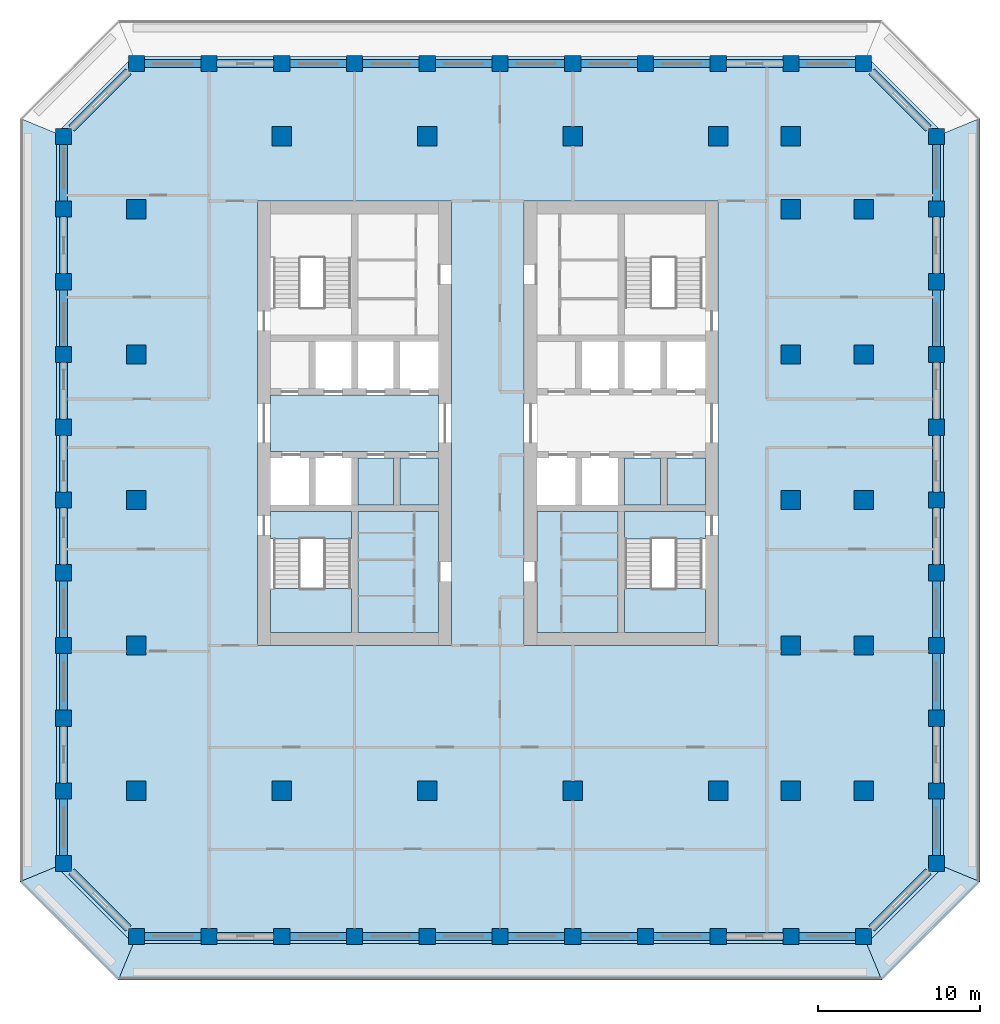
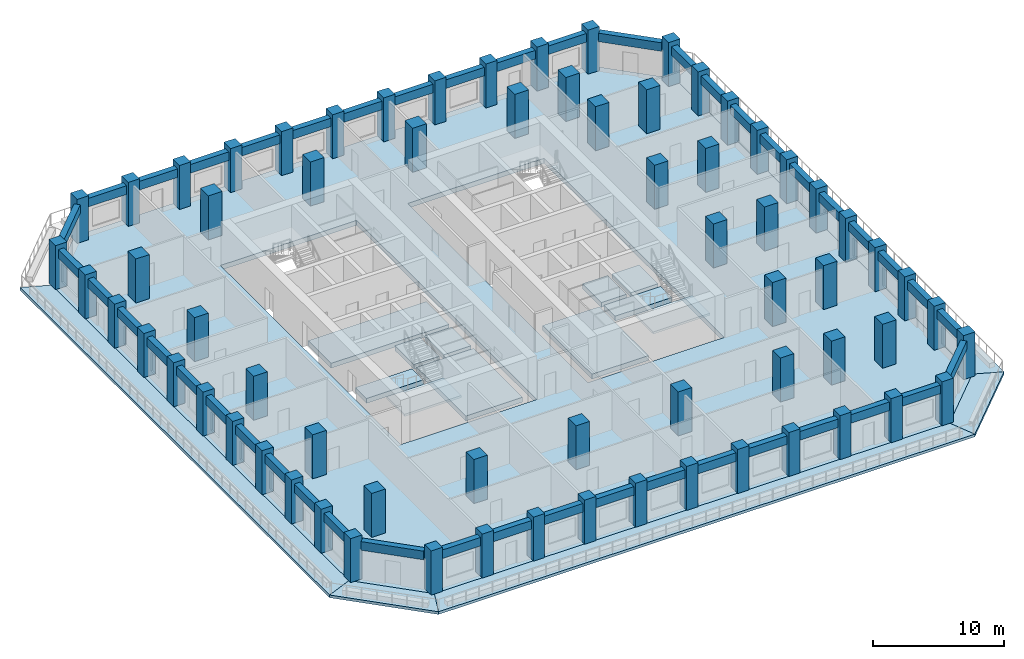
# One storey, part 1 of 16: 68 columns, 44 beams, 17 slabs, 2 elements without a shape of their own.
"""IFC4 building model written with IfcOpenShell, lengths in metres."""

from ifc_helpers import new_model, si_unit, direction, frame, origin, origin_2d, place, context, subcontext, project, spatial, polyline, rectangle, outline, extrude, material, layer, layer_set, material_profile, profile_set, type_object, element, aggregate, save


model = new_model("IFC4")

# Units and contexts
model_context = context("Model", 3, precision=1e-05, world=origin(), true_north=direction((0.0, 1.0)))
body_context = subcontext(model_context, "Body", "Model", "MODEL_VIEW")
ifc_project = project(units=[si_unit("LENGTHUNIT", "METRE"), si_unit("AREAUNIT", "SQUARE_METRE"), si_unit("VOLUMEUNIT", "CUBIC_METRE"), si_unit("PLANEANGLEUNIT", "RADIAN"), si_unit("MASSUNIT", "GRAM", prefix="KILO")], contexts=[model_context])

# Site, building, storey
site_placement = place(None, origin())
site = spatial("IfcSite", under=ifc_project, at=site_placement, CompositionType="ELEMENT")
building_placement = place(site_placement, origin())
building = spatial("IfcBuilding", under=site, at=building_placement, Name="Corbel Stack Research Tower", CompositionType="ELEMENT")
storey_placement = place(building_placement, frame((0.0, 0.0, 203.800048828125)))
storey = spatial("IfcBuildingStorey", under=building, at=storey_placement, Name="L46", CompositionType="ELEMENT", Elevation=203.800048828125)

# Columns
ifc_material_1 = material(Name="Concrete C60/75", Category="concrete")
ifc_material_profile_1 = material_profile(ifc_material_1, rectangle(XDim=1.0, YDim=1.0, at=origin_2d()), Name="RC 1000 x 1000")
ifc_profile_set_1 = profile_set([ifc_material_profile_1], Name="Concrete C60/75")
column_type_1 = type_object("IfcColumnType", Name="C-1000-60", PredefinedType="COLUMN", material=ifc_profile_set_1)
for number, where, z_axis, x_axis, name in (
    (1, (-22.5, -22.5, 0.0), (0.0, 0.0, 1.0), (1.0, 0.0, 0.0), "Column 3/C L46"),
    (2, (-22.5, -18.0, 0.0), (0.0, 0.0, 1.0), (1.0, 0.0, 0.0), "Column 3/D L46"),
    (3, (-22.5, -13.5, 0.0), (0.0, 0.0, 1.0), (1.0, 0.0, 0.0), "Column 3/E L46"),
    (4, (-22.5, -9.0, 0.0), (0.0, 0.0, 1.0), (1.0, 0.0, 0.0), "Column 3/F L46"),
    (5, (-22.5, -4.5, 0.0), (0.0, 0.0, 1.0), (1.0, 0.0, 0.0), "Column 3/G L46"),
    (6, (-22.5, 0.0, 0.0), (0.0, 0.0, 1.0), (1.0, 0.0, 0.0), "Column 3/H L46"),
    (7, (-22.5, 4.5, 0.0), (0.0, 0.0, 1.0), (1.0, 0.0, 0.0), "Column 3/J L46"),
    (8, (-22.5, 9.0, 0.0), (0.0, 0.0, 1.0), (1.0, 0.0, 0.0), "Column 3/K L46"),
    (9, (-22.5, 13.5, 0.0), (0.0, 0.0, 1.0), (1.0, 0.0, 0.0), "Column 3/L L46"),
    (10, (-22.5, 18.0, 0.0), (0.0, 0.0, 1.0), (1.0, 0.0, 0.0), "Column 3/M L46"),
    (11, (-22.5, 22.5, 0.0), (0.0, 0.0, 1.0), (1.0, 0.0, 0.0), "Column 3/N L46"),
    (12, (-18.0, -27.0, 0.0), (0.0, 0.0, 1.0), (1.0, 0.0, 0.0), "Column 4/B L46"),
    (13, (-18.0, 27.0, 0.0), (0.0, 0.0, 1.0), (1.0, 0.0, 0.0), "Column 4/P L46"),
    (14, (-13.5, -27.0, 0.0), (0.0, 0.0, 1.0), (1.0, 0.0, 0.0), "Column 5/B L46"),
    (15, (-13.5, 27.0, 0.0), (0.0, 0.0, 1.0), (1.0, 0.0, 0.0), "Column 5/P L46"),
    (16, (-9.0, -27.0, 0.0), (0.0, 0.0, 1.0), (1.0, 0.0, 0.0), "Column 6/B L46"),
    (17, (-9.0, 27.0, 0.0), (0.0, 0.0, 1.0), (1.0, 0.0, 0.0), "Column 6/P L46"),
    (18, (-4.5, -27.0, 0.0), (0.0, 0.0, 1.0), (1.0, 0.0, 0.0), "Column 7/B L46"),
    (19, (-4.5, 27.0, 0.0), (0.0, 0.0, 1.0), (1.0, 0.0, 0.0), "Column 7/P L46"),
    (20, (0.0, -27.0, 0.0), (0.0, 0.0, 1.0), (1.0, 0.0, 0.0), "Column 8/B L46"),
    (21, (0.0, 27.0, 0.0), (0.0, 0.0, 1.0), (1.0, 0.0, 0.0), "Column 8/P L46"),
    (22, (4.5, -27.0, 0.0), (0.0, 0.0, 1.0), (1.0, 0.0, 0.0), "Column 9/B L46"),
    (23, (4.5, 27.0, 0.0), (0.0, 0.0, 1.0), (1.0, 0.0, 0.0), "Column 9/P L46"),
    (24, (9.0, -27.0, 0.0), (0.0, 0.0, 1.0), (1.0, 0.0, 0.0), "Column 10/B L46"),
    (25, (9.0, 27.0, 0.0), (0.0, 0.0, 1.0), (1.0, 0.0, 0.0), "Column 10/P L46"),
    (26, (13.5, -27.0, 0.0), (0.0, 0.0, 1.0), (1.0, 0.0, 0.0), "Column 11/B L46"),
    (27, (13.5, 27.0, 0.0), (0.0, 0.0, 1.0), (1.0, 0.0, 0.0), "Column 11/P L46"),
    (28, (18.0, -27.0, 0.0), (0.0, 0.0, 1.0), (1.0, 0.0, 0.0), "Column 12/B L46"),
    (29, (18.0, 27.0, 0.0), (0.0, 0.0, 1.0), (1.0, 0.0, 0.0), "Column 12/P L46"),
    (30, (22.5, -27.0, 0.0), (0.0, 0.0, 1.0), (1.0, 0.0, 0.0), "Column 13/B L46"),
    (31, (22.5, 27.0, 0.0), (0.0, 0.0, 1.0), (1.0, 0.0, 0.0), "Column 13/P L46"),
    (32, (27.0, -27.0, 0.0), (0.0, 0.0, 1.0), (1.0, 0.0, 0.0), "Column 14/B L46"),
    (33, (27.0, 27.0, 0.0), (0.0, 0.0, 1.0), (1.0, 0.0, 0.0), "Column 14/P L46"),
    (34, (31.5, -22.5, 0.0), (0.0, 0.0, 1.0), (1.0, 0.0, 0.0), "Column 15/C L46"),
    (35, (31.5, -18.0, 0.0), (0.0, 0.0, 1.0), (1.0, 0.0, 0.0), "Column 15/D L46"),
    (36, (31.5, -13.5, 0.0), (0.0, 0.0, 1.0), (1.0, 0.0, 0.0), "Column 15/E L46"),
    (37, (31.5, -9.0, 0.0), (0.0, 0.0, 1.0), (1.0, 0.0, 0.0), "Column 15/F L46"),
    (38, (31.5, -4.5, 0.0), (0.0, 0.0, 1.0), (1.0, 0.0, 0.0), "Column 15/G L46"),
    (39, (31.5, 0.0, 0.0), (0.0, 0.0, 1.0), (1.0, 0.0, 0.0), "Column 15/H L46"),
    (40, (31.5, 4.5, 0.0), (0.0, 0.0, 1.0), (1.0, 0.0, 0.0), "Column 15/J L46"),
    (41, (31.5, 9.0, 0.0), (0.0, 0.0, 1.0), (1.0, 0.0, 0.0), "Column 15/K L46"),
    (42, (31.5, 13.5, 0.0), (0.0, 0.0, 1.0), (1.0, 0.0, 0.0), "Column 15/L L46"),
    (43, (31.5, 18.0, 0.0), (0.0, 0.0, 1.0), (1.0, 0.0, 0.0), "Column 15/M L46"),
    (44, (31.5, 22.5, 0.0), (0.0, 0.0, 1.0), (1.0, 0.0, 0.0), "Column 15/N L46"),
):
    element("IfcColumn", number, at=place(storey_placement, frame(where, z_axis=z_axis, x_axis=x_axis)), inside=storey, type_object=column_type_1, Name=name, PredefinedType="COLUMN", context=body_context, shape_type="SweptSolid", body=[
        extrude(rectangle(XDim=1.0, YDim=1.0, at=origin_2d()), origin(), (0.0, 0.0, 1.0), 4.099853515625),
    ])
ifc_material_2 = material(Name="Concrete C60/75", Category="concrete")
ifc_material_profile_2 = material_profile(ifc_material_2, rectangle(XDim=1.199951171875, YDim=1.199951171875, at=origin_2d()), Name="RC 1200 x 1200")
ifc_profile_set_2 = profile_set([ifc_material_profile_2], Name="Concrete C60/75")
column_type_2 = type_object("IfcColumnType", Name="C-1200-60", PredefinedType="COLUMN", material=ifc_profile_set_2)
for number, where, z_axis, x_axis, name in (
    (45, (-18.0, -18.0, 0.0), (0.0, 0.0, 1.0), (1.0, 0.0, 0.0), "Column 4/D L46"),
    (46, (-18.0, -9.0, 0.0), (0.0, 0.0, 1.0), (1.0, 0.0, 0.0), "Column 4/F L46"),
    (47, (-18.0, 0.0, 0.0), (0.0, 0.0, 1.0), (1.0, 0.0, 0.0), "Column 4/H L46"),
    (48, (-18.0, 9.0, 0.0), (0.0, 0.0, 1.0), (1.0, 0.0, 0.0), "Column 4/K L46"),
    (49, (-18.0, 18.0, 0.0), (0.0, 0.0, 1.0), (1.0, 0.0, 0.0), "Column 4/M L46"),
    (50, (-9.0, -18.0, 0.0), (0.0, 0.0, 1.0), (1.0, 0.0, 0.0), "Column 6/D L46"),
    (51, (-9.0, 22.5, 0.0), (0.0, 0.0, 1.0), (1.0, 0.0, 0.0), "Column 6/N L46"),
    (52, (0.0, -18.0, 0.0), (0.0, 0.0, 1.0), (1.0, 0.0, 0.0), "Column 8/D L46"),
    (53, (0.0, 22.5, 0.0), (0.0, 0.0, 1.0), (1.0, 0.0, 0.0), "Column 8/N L46"),
    (54, (9.0, -18.0, 0.0), (0.0, 0.0, 1.0), (1.0, 0.0, 0.0), "Column 10/D L46"),
    (55, (9.0, 22.5, 0.0), (0.0, 0.0, 1.0), (1.0, 0.0, 0.0), "Column 10/N L46"),
    (56, (18.0, -18.0, 0.0), (0.0, 0.0, 1.0), (1.0, 0.0, 0.0), "Column 12/D L46"),
    (57, (18.0, 22.5, 0.0), (0.0, 0.0, 1.0), (1.0, 0.0, 0.0), "Column 12/N L46"),
    (58, (22.5, -18.0, 0.0), (0.0, 0.0, 1.0), (1.0, 0.0, 0.0), "Column 13/D L46"),
    (59, (22.5, -9.0, 0.0), (0.0, 0.0, 1.0), (1.0, 0.0, 0.0), "Column 13/F L46"),
    (60, (22.5, 0.0, 0.0), (0.0, 0.0, 1.0), (1.0, 0.0, 0.0), "Column 13/H L46"),
    (61, (22.5, 9.0, 0.0), (0.0, 0.0, 1.0), (1.0, 0.0, 0.0), "Column 13/K L46"),
    (62, (22.5, 18.0, 0.0), (0.0, 0.0, 1.0), (1.0, 0.0, 0.0), "Column 13/M L46"),
    (63, (22.5, 22.5, 0.0), (0.0, 0.0, 1.0), (1.0, 0.0, 0.0), "Column 13/N L46"),
    (64, (27.0, -18.0, 0.0), (0.0, 0.0, 1.0), (1.0, 0.0, 0.0), "Column 14/D L46"),
    (65, (27.0, -9.0, 0.0), (0.0, 0.0, 1.0), (1.0, 0.0, 0.0), "Column 14/F L46"),
    (66, (27.0, 0.0, 0.0), (0.0, 0.0, 1.0), (1.0, 0.0, 0.0), "Column 14/H L46"),
    (67, (27.0, 9.0, 0.0), (0.0, 0.0, 1.0), (1.0, 0.0, 0.0), "Column 14/K L46"),
    (68, (27.0, 18.0, 0.0), (0.0, 0.0, 1.0), (1.0, 0.0, 0.0), "Column 14/M L46"),
):
    element("IfcColumn", number, at=place(storey_placement, frame(where, z_axis=z_axis, x_axis=x_axis)), inside=storey, type_object=column_type_2, Name=name, PredefinedType="COLUMN", context=body_context, shape_type="SweptSolid", body=[
        extrude(rectangle(XDim=1.199951171875, YDim=1.199951171875, at=origin_2d()), origin(), (0.0, 0.0, 1.0), 4.099853515625),
    ])

# Beams
ifc_material_3 = material(Name="Concrete C60/75", Category="concrete")
ifc_material_profile_3 = material_profile(ifc_material_3, rectangle(XDim=0.5, YDim=0.800048828125, at=origin_2d()), Name="RC 500 x 800")
ifc_profile_set_3 = profile_set([ifc_material_profile_3], Name="Concrete C60/75")
beam_type = type_object("IfcBeamType", Name="SB-500-800-450", PredefinedType="SPANDREL", material=ifc_profile_set_3)
for number, where, z_axis, x_axis, name in (
    (69, (-17.5, -27.0, 3.25), (1.0, 0.0, 0.0), (0.0, 1.0, 0.0), "Spandrel beam L46-01"),
    (70, (-13.0, -27.0, 3.25), (1.0, 0.0, 0.0), (0.0, 1.0, 0.0), "Spandrel beam L46-02"),
    (71, (-8.5, -27.0, 3.25), (1.0, 0.0, 0.0), (0.0, 1.0, 0.0), "Spandrel beam L46-03"),
    (72, (-4.0, -27.0, 3.25), (1.0, 0.0, 0.0), (0.0, 1.0, 0.0), "Spandrel beam L46-04"),
    (73, (0.5, -27.0, 3.25), (1.0, 0.0, 0.0), (0.0, 1.0, 0.0), "Spandrel beam L46-05"),
    (74, (5.0, -27.0, 3.25), (1.0, 0.0, 0.0), (0.0, 1.0, 0.0), "Spandrel beam L46-06"),
    (75, (9.5, -27.0, 3.25), (1.0, 0.0, 0.0), (0.0, 1.0, 0.0), "Spandrel beam L46-07"),
    (76, (14.0, -27.0, 3.25), (1.0, 0.0, 0.0), (0.0, 1.0, 0.0), "Spandrel beam L46-08"),
    (77, (18.5, -27.0, 3.25), (1.0, 0.0, 0.0), (0.0, 1.0, 0.0), "Spandrel beam L46-09"),
    (78, (23.0, -27.0, 3.25), (1.0, 0.0, 0.0), (0.0, 1.0, 0.0), "Spandrel beam L46-10"),
):
    element("IfcBeam", number, at=place(storey_placement, frame(where, z_axis=z_axis, x_axis=x_axis)), inside=storey, type_object=beam_type, Name=name, PredefinedType="SPANDREL", context=body_context, shape_type="SweptSolid", body=[
        extrude(rectangle(XDim=0.5, YDim=0.800048828125, at=origin_2d()), origin(), (0.0, 0.0, 1.0), 3.5),
    ])
beam_1_placement = place(storey_placement, frame((27.5, -26.5, 3.25), z_axis=(0.707106781187, 0.707106781187, 0.0), x_axis=(-0.707106781187, 0.707106781187, 0.0)))
element("IfcBeam", 79, at=beam_1_placement, inside=storey, type_object=beam_type, Name="Spandrel beam L46-11", PredefinedType="SPANDREL", context=body_context, shape_type="SweptSolid", body=[
    extrude(rectangle(XDim=0.5, YDim=0.800048828125, at=origin_2d()), origin(), (0.0, 0.0, 1.0), 4.94970703125),
])
for number, where, z_axis, x_axis, name in (
    (80, (31.5, -22.0, 3.25), (0.0, 1.0, 0.0), (-1.0, 0.0, 0.0), "Spandrel beam L46-12"),
    (81, (31.5, -17.5, 3.25), (0.0, 1.0, 0.0), (-1.0, 0.0, 0.0), "Spandrel beam L46-13"),
    (82, (31.5, -13.0, 3.25), (0.0, 1.0, 0.0), (-1.0, 0.0, 0.0), "Spandrel beam L46-14"),
    (83, (31.5, -8.5, 3.25), (0.0, 1.0, 0.0), (-1.0, 0.0, 0.0), "Spandrel beam L46-15"),
    (84, (31.5, -4.0, 3.25), (0.0, 1.0, 0.0), (-1.0, 0.0, 0.0), "Spandrel beam L46-16"),
    (85, (31.5, 0.5, 3.25), (0.0, 1.0, 0.0), (-1.0, 0.0, 0.0), "Spandrel beam L46-17"),
    (86, (31.5, 5.0, 3.25), (0.0, 1.0, 0.0), (-1.0, 0.0, 0.0), "Spandrel beam L46-18"),
    (87, (31.5, 9.5, 3.25), (0.0, 1.0, 0.0), (-1.0, 0.0, 0.0), "Spandrel beam L46-19"),
    (88, (31.5, 14.0, 3.25), (0.0, 1.0, 0.0), (-1.0, 0.0, 0.0), "Spandrel beam L46-20"),
    (89, (31.5, 18.5, 3.25), (0.0, 1.0, 0.0), (-1.0, 0.0, 0.0), "Spandrel beam L46-21"),
):
    element("IfcBeam", number, at=place(storey_placement, frame(where, z_axis=z_axis, x_axis=x_axis)), inside=storey, type_object=beam_type, Name=name, PredefinedType="SPANDREL", context=body_context, shape_type="SweptSolid", body=[
        extrude(rectangle(XDim=0.5, YDim=0.800048828125, at=origin_2d()), origin(), (0.0, 0.0, 1.0), 3.5),
    ])
beam_2_placement = place(storey_placement, frame((31.0, 23.0, 3.25), z_axis=(-0.707106781187, 0.707106781187, 0.0), x_axis=(-0.707106781187, -0.707106781187, 0.0)))
element("IfcBeam", 90, at=beam_2_placement, inside=storey, type_object=beam_type, Name="Spandrel beam L46-22", PredefinedType="SPANDREL", context=body_context, shape_type="SweptSolid", body=[
    extrude(rectangle(XDim=0.5, YDim=0.800048828125, at=origin_2d()), origin(), (0.0, 0.0, 1.0), 4.94970703125),
])
for number, where, z_axis, x_axis, name in (
    (91, (26.5, 27.0, 3.25), (-1.0, 0.0, 0.0), (0.0, -1.0, 0.0), "Spandrel beam L46-23"),
    (92, (22.0, 27.0, 3.25), (-1.0, 0.0, 0.0), (0.0, -1.0, 0.0), "Spandrel beam L46-24"),
    (93, (17.5, 27.0, 3.25), (-1.0, 0.0, 0.0), (0.0, -1.0, 0.0), "Spandrel beam L46-25"),
    (94, (13.0, 27.0, 3.25), (-1.0, 0.0, 0.0), (0.0, -1.0, 0.0), "Spandrel beam L46-26"),
    (95, (8.5, 27.0, 3.25), (-1.0, 0.0, 0.0), (0.0, -1.0, 0.0), "Spandrel beam L46-27"),
    (96, (4.0, 27.0, 3.25), (-1.0, 0.0, 0.0), (0.0, -1.0, 0.0), "Spandrel beam L46-28"),
    (97, (-0.5, 27.0, 3.25), (-1.0, 0.0, 0.0), (0.0, -1.0, 0.0), "Spandrel beam L46-29"),
    (98, (-5.0, 27.0, 3.25), (-1.0, 0.0, 0.0), (0.0, -1.0, 0.0), "Spandrel beam L46-30"),
    (99, (-9.5, 27.0, 3.25), (-1.0, 0.0, 0.0), (0.0, -1.0, 0.0), "Spandrel beam L46-31"),
    (100, (-14.0, 27.0, 3.25), (-1.0, 0.0, 0.0), (0.0, -1.0, 0.0), "Spandrel beam L46-32"),
):
    element("IfcBeam", number, at=place(storey_placement, frame(where, z_axis=z_axis, x_axis=x_axis)), inside=storey, type_object=beam_type, Name=name, PredefinedType="SPANDREL", context=body_context, shape_type="SweptSolid", body=[
        extrude(rectangle(XDim=0.5, YDim=0.800048828125, at=origin_2d()), origin(), (0.0, 0.0, 1.0), 3.5),
    ])
beam_3_placement = place(storey_placement, frame((-18.5, 26.5, 3.25), z_axis=(-0.707106781187, -0.707106781187, 0.0), x_axis=(0.707106781187, -0.707106781187, 0.0)))
element("IfcBeam", 101, at=beam_3_placement, inside=storey, type_object=beam_type, Name="Spandrel beam L46-33", PredefinedType="SPANDREL", context=body_context, shape_type="SweptSolid", body=[
    extrude(rectangle(XDim=0.5, YDim=0.800048828125, at=origin_2d()), origin(), (0.0, 0.0, 1.0), 4.94970703125),
])
for number, where, z_axis, x_axis, name in (
    (102, (-22.5, 22.0, 3.25), (0.0, -1.0, 0.0), (1.0, 0.0, 0.0), "Spandrel beam L46-34"),
    (103, (-22.5, 17.5, 3.25), (0.0, -1.0, 0.0), (1.0, 0.0, 0.0), "Spandrel beam L46-35"),
    (104, (-22.5, 13.0, 3.25), (0.0, -1.0, 0.0), (1.0, 0.0, 0.0), "Spandrel beam L46-36"),
    (105, (-22.5, 8.5, 3.25), (0.0, -1.0, 0.0), (1.0, 0.0, 0.0), "Spandrel beam L46-37"),
    (106, (-22.5, 4.0, 3.25), (0.0, -1.0, 0.0), (1.0, 0.0, 0.0), "Spandrel beam L46-38"),
    (107, (-22.5, -0.5, 3.25), (0.0, -1.0, 0.0), (1.0, 0.0, 0.0), "Spandrel beam L46-39"),
    (108, (-22.5, -5.0, 3.25), (0.0, -1.0, 0.0), (1.0, 0.0, 0.0), "Spandrel beam L46-40"),
    (109, (-22.5, -9.5, 3.25), (0.0, -1.0, 0.0), (1.0, 0.0, 0.0), "Spandrel beam L46-41"),
    (110, (-22.5, -14.0, 3.25), (0.0, -1.0, 0.0), (1.0, 0.0, 0.0), "Spandrel beam L46-42"),
    (111, (-22.5, -18.5, 3.25), (0.0, -1.0, 0.0), (1.0, 0.0, 0.0), "Spandrel beam L46-43"),
):
    element("IfcBeam", number, at=place(storey_placement, frame(where, z_axis=z_axis, x_axis=x_axis)), inside=storey, type_object=beam_type, Name=name, PredefinedType="SPANDREL", context=body_context, shape_type="SweptSolid", body=[
        extrude(rectangle(XDim=0.5, YDim=0.800048828125, at=origin_2d()), origin(), (0.0, 0.0, 1.0), 3.5),
    ])
beam_4_placement = place(storey_placement, frame((-22.0, -23.0, 3.25), z_axis=(0.707106781187, -0.707106781187, 0.0), x_axis=(0.707106781187, 0.707106781187, 0.0)))
element("IfcBeam", 112, at=beam_4_placement, inside=storey, type_object=beam_type, Name="Spandrel beam L46-44", PredefinedType="SPANDREL", context=body_context, shape_type="SweptSolid", body=[
    extrude(rectangle(XDim=0.5, YDim=0.800048828125, at=origin_2d()), origin(), (0.0, 0.0, 1.0), 4.94970703125),
])

# Slabs
ifc_material_4 = material(Name="Concrete C45/55", Category="concrete")
ifc_layer_1 = layer(ifc_material_4, 0.25)
ifc_layer_set_1 = layer_set([ifc_layer_1], Name="Concrete C45/55")
slab_type_1 = type_object("IfcSlabType", Name="PT balcony slab 250 C45/55", PredefinedType="FLOOR", material=ifc_layer_set_1)
slab_1_placement = place(storey_placement, frame((0.0, 0.0, -0.25)))
element("IfcSlab", 113, at=slab_1_placement, inside=storey, type_object=slab_type_1, Name="Loggia slab L46 S", PredefinedType="FLOOR", context=body_context, shape_type="SweptSolid", body=[
    extrude(outline(polyline([(27.20703125, -27.5), (26.5, -27.5), (26.5, -27.449951171875), (23.0, -27.449951171875), (23.0, -27.5), (22.0, -27.5), (22.0, -27.449951171875), (18.5, -27.449951171875), (18.5, -27.5), (17.5, -27.5), (17.5, -27.449951171875), (14.0, -27.449951171875), (14.0, -27.5), (13.0, -27.5), (13.0, -27.449951171875), (9.5, -27.449951171875), (9.5, -27.5), (8.5, -27.5), (8.5, -27.449951171875), (5.0, -27.449951171875), (5.0, -27.5), (4.0, -27.5), (4.0, -27.449951171875), (0.5, -27.449951171875), (0.5, -27.5), (-0.5, -27.5), (-0.5, -27.449951171875), (-4.0, -27.449951171875), (-4.0, -27.5), (-5.0, -27.5), (-5.0, -27.449951171875), (-8.5, -27.449951171875), (-8.5, -27.5), (-9.5, -27.5), (-9.5, -27.449951171875), (-13.0, -27.449951171875), (-13.0, -27.5), (-14.0, -27.5), (-14.0, -27.449951171875), (-17.5, -27.449951171875), (-17.5, -27.5), (-18.20703125, -27.5), (-19.118408203125, -29.699951171875), (28.118408203125, -29.699951171875), (27.20703125, -27.5)])), origin(), (0.0, 0.0, 1.0), 0.25),
])
slab_2_placement = place(storey_placement, frame((0.0, 0.0, -0.25)))
element("IfcSlab", 114, at=slab_2_placement, inside=storey, type_object=slab_type_1, Name="Loggia slab L46 SE", PredefinedType="FLOOR", context=body_context, shape_type="SweptSolid", body=[
    extrude(outline(polyline([(32.0, -22.70703125), (32.0, -23.0), (31.636474609375, -23.0), (27.5, -27.136474609375), (27.5, -27.5), (27.20703125, -27.5), (28.118408203125, -29.699951171875), (34.199951171875, -23.618408203125), (32.0, -22.70703125)])), origin(), (0.0, 0.0, 1.0), 0.25),
])
slab_3_placement = place(storey_placement, frame((0.0, 0.0, -0.25)))
element("IfcSlab", 115, at=slab_3_placement, inside=storey, type_object=slab_type_1, Name="Loggia slab L46 E", PredefinedType="FLOOR", context=body_context, shape_type="SweptSolid", body=[
    extrude(outline(polyline([(32.0, 22.70703125), (32.0, 22.0), (31.949951171875, 22.0), (31.949951171875, 18.5), (32.0, 18.5), (32.0, 17.5), (31.949951171875, 17.5), (31.949951171875, 14.0), (32.0, 14.0), (32.0, 13.0), (31.949951171875, 13.0), (31.949951171875, 9.5), (32.0, 9.5), (32.0, 8.5), (31.949951171875, 8.5), (31.949951171875, 5.0), (32.0, 5.0), (32.0, 4.0), (31.949951171875, 4.0), (31.949951171875, 0.5), (32.0, 0.5), (32.0, -0.5), (31.949951171875, -0.5), (31.949951171875, -4.0), (32.0, -4.0), (32.0, -5.0), (31.949951171875, -5.0), (31.949951171875, -8.5), (32.0, -8.5), (32.0, -9.5), (31.949951171875, -9.5), (31.949951171875, -13.0), (32.0, -13.0), (32.0, -14.0), (31.949951171875, -14.0), (31.949951171875, -17.5), (32.0, -17.5), (32.0, -18.5), (31.949951171875, -18.5), (31.949951171875, -22.0), (32.0, -22.0), (32.0, -22.70703125), (34.199951171875, -23.618408203125), (34.199951171875, 23.618408203125), (32.0, 22.70703125)])), origin(), (0.0, 0.0, 1.0), 0.25),
])
slab_4_placement = place(storey_placement, frame((0.0, 0.0, -0.25)))
element("IfcSlab", 116, at=slab_4_placement, inside=storey, type_object=slab_type_1, Name="Loggia slab L46 W", PredefinedType="FLOOR", context=body_context, shape_type="SweptSolid", body=[
    extrude(outline(polyline([(-23.0, -22.70703125), (-23.0, -22.0), (-22.949951171875, -22.0), (-22.949951171875, -18.5), (-23.0, -18.5), (-23.0, -17.5), (-22.949951171875, -17.5), (-22.949951171875, -14.0), (-23.0, -14.0), (-23.0, -13.0), (-22.949951171875, -13.0), (-22.949951171875, -9.5), (-23.0, -9.5), (-23.0, -8.5), (-22.949951171875, -8.5), (-22.949951171875, -5.0), (-23.0, -5.0), (-23.0, -4.0), (-22.949951171875, -4.0), (-22.949951171875, -0.5), (-23.0, -0.5), (-23.0, 0.5), (-22.949951171875, 0.5), (-22.949951171875, 4.0), (-23.0, 4.0), (-23.0, 5.0), (-22.949951171875, 5.0), (-22.949951171875, 8.5), (-23.0, 8.5), (-23.0, 9.5), (-22.949951171875, 9.5), (-22.949951171875, 13.0), (-23.0, 13.0), (-23.0, 14.0), (-22.949951171875, 14.0), (-22.949951171875, 17.5), (-23.0, 17.5), (-23.0, 18.5), (-22.949951171875, 18.5), (-22.949951171875, 22.0), (-23.0, 22.0), (-23.0, 22.70703125), (-25.199951171875, 23.618408203125), (-25.199951171875, -23.618408203125), (-23.0, -22.70703125)])), origin(), (0.0, 0.0, 1.0), 0.25),
])
slab_5_placement = place(storey_placement, frame((0.0, 0.0, -0.25)))
element("IfcSlab", 117, at=slab_5_placement, inside=storey, type_object=slab_type_1, Name="Loggia slab L46 SW", PredefinedType="FLOOR", context=body_context, shape_type="SweptSolid", body=[
    extrude(outline(polyline([(-18.20703125, -27.5), (-18.5, -27.5), (-18.5, -27.136474609375), (-22.636474609375, -23.0), (-23.0, -23.0), (-23.0, -22.70703125), (-25.199951171875, -23.618408203125), (-19.118408203125, -29.699951171875), (-18.20703125, -27.5)])), origin(), (0.0, 0.0, 1.0), 0.25),
])
ifc_material_5 = material(Name="Concrete C45/55", Category="concrete")
ifc_layer_2 = layer(ifc_material_5, 0.449951171875)
ifc_layer_set_2 = layer_set([ifc_layer_2], Name="Concrete C45/55")
slab_type_2 = type_object("IfcSlabType", Name="PT-450", PredefinedType="FLOOR", material=ifc_layer_set_2)
slab_6_placement = place(storey_placement, frame((0.0, 0.0, -0.449951171875)))
element("IfcSlab", 118, at=slab_6_placement, inside=storey, type_object=slab_type_2, Name="Floor slab L46", PredefinedType="FLOOR", context=body_context, shape_type="SweptSolid", body=[
    extrude(outline(polyline([(-18.186279296875, -27.449951171875), (27.186279296875, -27.449951171875), (31.949951171875, -22.686279296875), (31.949951171875, 22.686279296875), (27.186279296875, 27.449951171875), (-18.186279296875, 27.449951171875), (-22.949951171875, 22.686279296875), (-22.949951171875, -22.686279296875), (-18.186279296875, -27.449951171875)]), holes=[polyline([(26.39990234375, 17.39990234375), (26.39990234375, 18.60009765625), (27.60009765625, 18.60009765625), (27.60009765625, 17.39990234375), (26.39990234375, 17.39990234375)]), polyline([(26.39990234375, 8.39990234375), (26.39990234375, 9.60009765625), (27.60009765625, 9.60009765625), (27.60009765625, 8.39990234375), (26.39990234375, 8.39990234375)]), polyline([(27.60009765625, -0.60009765625), (26.39990234375, -0.60009765625), (26.39990234375, 0.60009765625), (27.60009765625, 0.60009765625), (27.60009765625, -0.60009765625)]), polyline([(26.39990234375, -9.60009765625), (26.39990234375, -8.39990234375), (27.60009765625, -8.39990234375), (27.60009765625, -9.60009765625), (26.39990234375, -9.60009765625)]), polyline([(26.39990234375, -18.60009765625), (26.39990234375, -17.39990234375), (27.60009765625, -17.39990234375), (27.60009765625, -18.60009765625), (26.39990234375, -18.60009765625)]), polyline([(21.89990234375, 21.89990234375), (21.89990234375, 23.10009765625), (23.10009765625, 23.10009765625), (23.10009765625, 21.89990234375), (21.89990234375, 21.89990234375)]), polyline([(21.89990234375, 17.39990234375), (21.89990234375, 18.60009765625), (23.10009765625, 18.60009765625), (23.10009765625, 17.39990234375), (21.89990234375, 17.39990234375)]), polyline([(21.89990234375, 8.39990234375), (21.89990234375, 9.60009765625), (23.10009765625, 9.60009765625), (23.10009765625, 8.39990234375), (21.89990234375, 8.39990234375)]), polyline([(21.89990234375, -0.60009765625), (21.89990234375, 0.60009765625), (23.10009765625, 0.60009765625), (23.10009765625, -0.60009765625), (21.89990234375, -0.60009765625)]), polyline([(23.10009765625, -9.60009765625), (21.89990234375, -9.60009765625), (21.89990234375, -8.39990234375), (23.10009765625, -8.39990234375), (23.10009765625, -9.60009765625)]), polyline([(21.89990234375, -18.60009765625), (21.89990234375, -17.39990234375), (23.10009765625, -17.39990234375), (23.10009765625, -18.60009765625), (21.89990234375, -18.60009765625)]), polyline([(17.39990234375, 21.89990234375), (17.39990234375, 23.10009765625), (18.60009765625, 23.10009765625), (18.60009765625, 21.89990234375), (17.39990234375, 21.89990234375)]), polyline([(18.60009765625, -18.60009765625), (17.39990234375, -18.60009765625), (17.39990234375, -17.39990234375), (18.60009765625, -17.39990234375), (18.60009765625, -18.60009765625)]), polyline([(6.0, -9.0), (6.0, 18.5), (18.0, 18.5), (18.0, -9.0), (6.0, -9.0)]), polyline([(8.39990234375, 21.89990234375), (8.39990234375, 23.10009765625), (9.60009765625, 23.10009765625), (9.60009765625, 21.89990234375), (8.39990234375, 21.89990234375)]), polyline([(9.60009765625, -18.60009765625), (8.39990234375, -18.60009765625), (8.39990234375, -17.39990234375), (9.60009765625, -17.39990234375), (9.60009765625, -18.60009765625)]), polyline([(1.5, -9.0), (-10.5, -9.0), (-10.5, 18.5), (1.5, 18.5), (1.5, -9.0)]), polyline([(-0.60009765625, 21.89990234375), (-0.60009765625, 23.10009765625), (0.60009765625, 23.10009765625), (0.60009765625, 21.89990234375), (-0.60009765625, 21.89990234375)]), polyline([(-0.60009765625, -18.60009765625), (-0.60009765625, -17.39990234375), (0.60009765625, -17.39990234375), (0.60009765625, -18.60009765625), (-0.60009765625, -18.60009765625)]), polyline([(-9.60009765625, 21.89990234375), (-9.60009765625, 23.10009765625), (-8.39990234375, 23.10009765625), (-8.39990234375, 21.89990234375), (-9.60009765625, 21.89990234375)]), polyline([(-9.60009765625, -18.60009765625), (-9.60009765625, -17.39990234375), (-8.39990234375, -17.39990234375), (-8.39990234375, -18.60009765625), (-9.60009765625, -18.60009765625)]), polyline([(-18.60009765625, 17.39990234375), (-18.60009765625, 18.60009765625), (-17.39990234375, 18.60009765625), (-17.39990234375, 17.39990234375), (-18.60009765625, 17.39990234375)]), polyline([(-18.60009765625, 8.39990234375), (-18.60009765625, 9.60009765625), (-17.39990234375, 9.60009765625), (-17.39990234375, 8.39990234375), (-18.60009765625, 8.39990234375)]), polyline([(-18.60009765625, -0.60009765625), (-18.60009765625, 0.60009765625), (-17.39990234375, 0.60009765625), (-17.39990234375, -0.60009765625), (-18.60009765625, -0.60009765625)]), polyline([(-18.60009765625, -9.60009765625), (-18.60009765625, -8.39990234375), (-17.39990234375, -8.39990234375), (-17.39990234375, -9.60009765625), (-18.60009765625, -9.60009765625)]), polyline([(-17.39990234375, -18.60009765625), (-18.60009765625, -18.60009765625), (-18.60009765625, -17.39990234375), (-17.39990234375, -17.39990234375), (-17.39990234375, -18.60009765625)])]), origin(), (0.0, 0.0, 1.0), 0.449951171875),
])
slab_7_placement = place(storey_placement, frame((0.0, 0.0, -0.449951171875)))
element("IfcSlab", 119, at=slab_7_placement, inside=storey, type_object=slab_type_2, Name="West core floor L46", PredefinedType="FLOOR", context=body_context, shape_type="SweptSolid", body=[
    extrude(outline(polyline([(0.699951171875, 6.5), (-9.699951171875, 6.5), (-9.699951171875, 3.0), (0.699951171875, 3.0), (0.699951171875, 6.5)])), origin(), (0.0, 0.0, 1.0), 0.449951171875),
])
slab_8_placement = place(storey_placement, frame((0.0, 0.0, -0.449951171875)))
element("IfcSlab", 120, at=slab_8_placement, inside=storey, type_object=slab_type_2, Name="West core floor L46", PredefinedType="FLOOR", context=body_context, shape_type="SweptSolid", body=[
    extrude(outline(polyline([(-4.300048828125, -0.699951171875), (-4.300048828125, -8.199951171875), (0.699951171875, -8.199951171875), (0.699951171875, -0.699951171875), (-4.300048828125, -0.699951171875)])), origin(), (0.0, 0.0, 1.0), 0.449951171875),
])
slab_9_placement = place(storey_placement, frame((0.0, 0.0, -0.449951171875)))
element("IfcSlab", 121, at=slab_9_placement, inside=storey, type_object=slab_type_2, Name="West core floor L46", PredefinedType="FLOOR", context=body_context, shape_type="SweptSolid", body=[
    extrude(outline(polyline([(-2.074951171875, -0.300048828125), (-2.074951171875, 2.60009765625), (-4.300048828125, 2.60009765625), (-4.300048828125, -0.300048828125), (-2.074951171875, -0.300048828125)])), origin(), (0.0, 0.0, 1.0), 0.449951171875),
])
slab_10_placement = place(storey_placement, frame((0.0, 0.0, -0.449951171875)))
element("IfcSlab", 122, at=slab_10_placement, inside=storey, type_object=slab_type_2, Name="West core floor L46", PredefinedType="FLOOR", context=body_context, shape_type="SweptSolid", body=[
    extrude(outline(polyline([(0.699951171875, -0.300048828125), (0.699951171875, 2.60009765625), (-1.675048828125, 2.60009765625), (-1.675048828125, -0.300048828125), (0.699951171875, -0.300048828125)])), origin(), (0.0, 0.0, 1.0), 0.449951171875),
])
slab_11_placement = place(storey_placement, frame((0.0, 0.0, -0.449951171875)))
element("IfcSlab", 123, at=slab_11_placement, inside=storey, type_object=slab_type_2, Name="East core floor L46", PredefinedType="FLOOR", context=body_context, shape_type="SweptSolid", body=[
    extrude(outline(polyline([(6.800048828125, -0.699951171875), (6.800048828125, -8.199951171875), (11.800048828125, -8.199951171875), (11.800048828125, -0.699951171875), (6.800048828125, -0.699951171875)])), origin(), (0.0, 0.0, 1.0), 0.449951171875),
])
slab_12_placement = place(storey_placement, frame((0.0, 0.0, -0.449951171875)))
element("IfcSlab", 124, at=slab_12_placement, inside=storey, type_object=slab_type_2, Name="East core floor L46", PredefinedType="FLOOR", context=body_context, shape_type="SweptSolid", body=[
    extrude(outline(polyline([(14.425048828125, -0.300048828125), (14.425048828125, 2.60009765625), (12.199951171875, 2.60009765625), (12.199951171875, -0.300048828125), (14.425048828125, -0.300048828125)])), origin(), (0.0, 0.0, 1.0), 0.449951171875),
])
slab_13_placement = place(storey_placement, frame((0.0, 0.0, -0.449951171875)))
element("IfcSlab", 125, at=slab_13_placement, inside=storey, type_object=slab_type_2, Name="East core floor L46", PredefinedType="FLOOR", context=body_context, shape_type="SweptSolid", body=[
    extrude(outline(polyline([(17.199951171875, -0.300048828125), (17.199951171875, 2.60009765625), (14.824951171875, 2.60009765625), (14.824951171875, -0.300048828125), (17.199951171875, -0.300048828125)])), origin(), (0.0, 0.0, 1.0), 0.449951171875),
])
slab_14_placement = place(storey_placement, frame((0.0, 0.0, -0.449951171875)))
element("IfcSlab", 126, at=slab_14_placement, inside=storey, type_object=slab_type_2, Name="Stair floor landing ST-W1", PredefinedType="FLOOR", context=body_context, shape_type="SweptSolid", body=[
    extrude(outline(polyline([(-9.699951171875, -2.39990234375), (-4.699951171875, -2.39990234375), (-4.699951171875, -0.699951171875), (-9.699951171875, -0.699951171875), (-9.699951171875, -2.39990234375)])), origin(), (0.0, 0.0, 1.0), 0.449951171875),
])
slab_15_placement = place(storey_placement, frame((0.0, 0.0, -0.449951171875)))
element("IfcSlab", 127, at=slab_15_placement, inside=storey, type_object=slab_type_2, Name="Stair floor landing ST-E1", PredefinedType="FLOOR", context=body_context, shape_type="SweptSolid", body=[
    extrude(outline(polyline([(12.199951171875, -2.39990234375), (17.199951171875, -2.39990234375), (17.199951171875, -0.699951171875), (12.199951171875, -0.699951171875), (12.199951171875, -2.39990234375)])), origin(), (0.0, 0.0, 1.0), 0.449951171875),
])

# Stair, slab
ifc_material_6 = material(Name="Concrete C40/50", Category="concrete")
stair_type = type_object("IfcStairType", Name="Exit stair 24 risers", PredefinedType="HALF_TURN_STAIR", material=ifc_material_6)
stair_1_placement = place(storey_placement, origin())
stair_1 = element("IfcStair", 128, at=stair_1_placement, inside=storey, type_object=stair_type, Name="L46 Exit stair ST-W1", PredefinedType="HALF_TURN_STAIR")
ifc_material_7 = material(Name="Concrete C40/50", Category="concrete")
ifc_layer_3 = layer(ifc_material_7, 0.199951171875)
ifc_layer_set_3 = layer_set([ifc_layer_3], Name="Concrete C40/50")
slab_type_3 = type_object("IfcSlabType", Name="Stair landing 200 C40/50", PredefinedType="LANDING", material=ifc_layer_set_3)
slab_16_placement = place(storey_placement, frame((0.0, 0.0, 1.849853515625)))
slab_16 = element("IfcSlab", 129, at=slab_16_placement, type_object=slab_type_3, Name="ST-W1 landing 1", PredefinedType="LANDING", context=body_context, shape_type="SweptSolid", body=[
    extrude(outline(polyline([(-9.699951171875, -8.199951171875), (-9.699951171875, -5.47998046875), (-4.699951171875, -5.47998046875), (-4.699951171875, -8.199951171875), (-9.699951171875, -8.199951171875)])), origin(), (0.0, 0.0, 1.0), 0.2001953125),
])
aggregate(stair_1, [slab_16])

stair_2_placement = place(storey_placement, origin())
stair_2 = element("IfcStair", 130, at=stair_2_placement, inside=storey, type_object=stair_type, Name="L46 Exit stair ST-E1", PredefinedType="HALF_TURN_STAIR")
slab_17_placement = place(storey_placement, frame((0.0, 0.0, 1.849853515625)))
slab_17 = element("IfcSlab", 131, at=slab_17_placement, type_object=slab_type_3, Name="ST-E1 landing 1", PredefinedType="LANDING", context=body_context, shape_type="SweptSolid", body=[
    extrude(outline(polyline([(12.199951171875, -8.199951171875), (12.199951171875, -5.47998046875), (17.199951171875, -5.47998046875), (17.199951171875, -8.199951171875), (12.199951171875, -8.199951171875)])), origin(), (0.0, 0.0, 1.0), 0.2001953125),
])
aggregate(stair_2, [slab_17])

save(model, "model.ifc")
